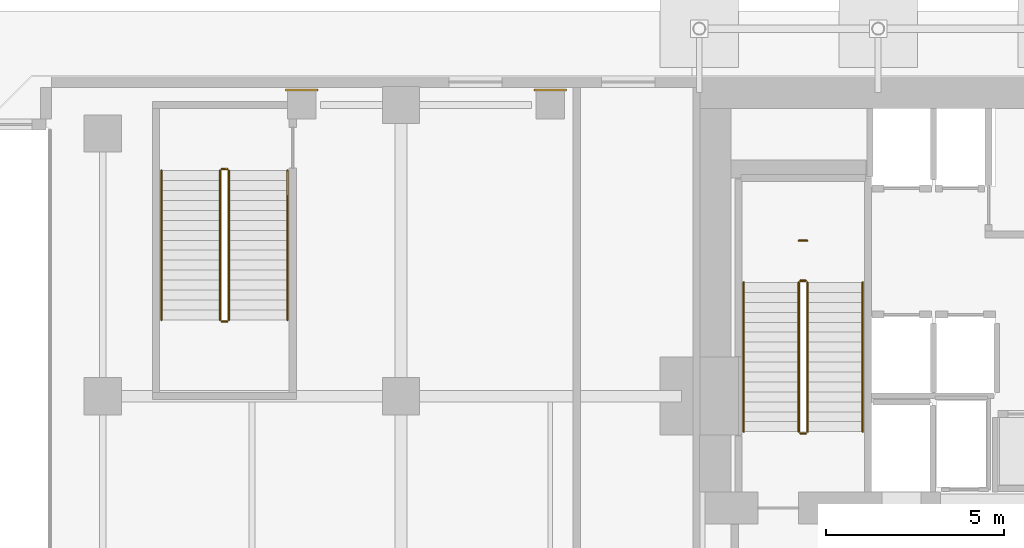
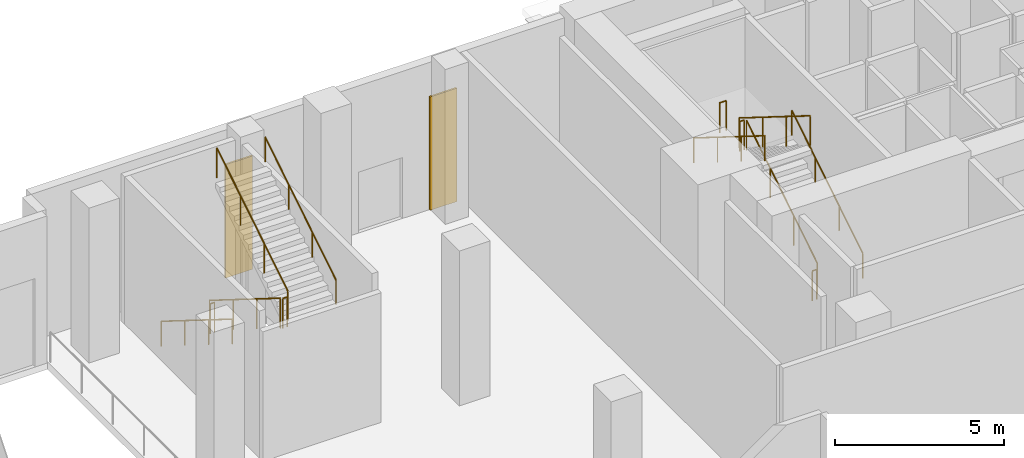
# One storey, part 33 of 35: 13 railings, 2 coverings.
"""IFC4 building model written with IfcOpenShell, lengths in metres."""

from ifc_helpers import new_model, si_unit, direction, frame, origin, origin_2d, place, context, subcontext, project, spatial, rectangle, circle, extrude, material, layer, layer_set, type_object, element, save


model = new_model("IFC4")

# Units and contexts
model_context = context("Model", 3, precision=1e-05, world=origin(), true_north=direction((0.0, 1.0)))
body_context = subcontext(model_context, "Body", "Model", "MODEL_VIEW")
ifc_project = project(units=[si_unit("LENGTHUNIT", "METRE"), si_unit("AREAUNIT", "SQUARE_METRE"), si_unit("VOLUMEUNIT", "CUBIC_METRE"), si_unit("PLANEANGLEUNIT", "RADIAN"), si_unit("MASSUNIT", "GRAM", prefix="KILO")], contexts=[model_context])

# Site, building, storey
site_placement = place(None, origin())
site = spatial("IfcSite", under=ifc_project, at=site_placement, CompositionType="ELEMENT")
building_placement = place(site_placement, origin())
building = spatial("IfcBuilding", under=site, at=building_placement, Name="Maruvema Waterfront Hotel and Observation Tower", CompositionType="ELEMENT")
storey_placement = place(building_placement, origin())
storey = spatial("IfcBuildingStorey", under=building, at=storey_placement, Name="L00", CompositionType="ELEMENT", Elevation=0.0)

# Coverings
ifc_material_1 = material(Name="Honed Pernambuco warm cream granite", Category="masonry")
ifc_layer = layer(ifc_material_1, 0.044921875, Name="Podium Column Honed Granite Cladding Panel 45 mm")
ifc_layer_set = layer_set([ifc_layer], Name="Honed Pernambuco warm cream granite")
covering_type = type_object("IfcCoveringType", Name="Podium Column Honed Granite Cladding Panel 45 mm", PredefinedType="CLADDING", material=ifc_layer_set)
for number, where, z_axis, x_axis, name in (
    (1, (14.0, 53.6201171875, 0.050048828125), (0.0, 0.0, 1.0), (1.0, 0.0, 0.0), "L00 Landward Pilaster Granite Cladding N1"),
    (2, (21.0, 53.6201171875, 0.050048828125), (0.0, 0.0, 1.0), (1.0, 0.0, 0.0), "L00 Landward Pilaster Granite Cladding N2"),
):
    element("IfcCovering", number, at=place(storey_placement, frame(where, z_axis=z_axis, x_axis=x_axis)), inside=storey, type_object=covering_type, Name=name, PredefinedType="CLADDING", context=body_context, shape_type="SweptSolid", body=[
        extrude(rectangle(XDim=0.919921875, YDim=0.06005859375, at=origin_2d()), origin(), (0.0, 0.0, 1.0), 4.10009765625),
    ])

# Railings
ifc_material_2 = material(Name="Brushed stainless steel Grade 316", Category="steel")
railing_type_1 = type_object("IfcRailingType", Name="Ramp Continuous Wall Handrail 920 mm", PredefinedType="HANDRAIL", material=ifc_material_2)
railing_1_placement = place(storey_placement, frame((29.800048828125, 44.0, 0.175048828125)))
element("IfcRailing", 3, at=railing_1_placement, inside=storey, type_object=railing_type_1, Name="L00 ST-01 stair handrail 1", PredefinedType="HANDRAIL", context=body_context, shape_type="SweptSolid", body=[
    extrude(circle(Radius=0.02392578125, at=origin_2d()), frame((0.0, 0.0, 0.89599609375), z_axis=(0.0, 0.847995534698, 0.530003370869), x_axis=(-1.0, 0.0, 0.0)), (0.0, 0.0, 1.0), 4.952880859375),
    extrude(circle(Radius=0.02099609375, at=origin_2d()), origin(), (0.0, 0.0, 1.0), 0.871826171875),
    extrude(circle(Radius=0.02099609375, at=origin_2d()), frame((0.0, 1.39990234375, 0.875)), (0.0, 0.0, 1.0), 0.871826171875),
    extrude(circle(Radius=0.02099609375, at=origin_2d()), frame((0.0, 2.800048828125, 1.75)), (0.0, 0.0, 1.0), 0.871826171875),
    extrude(circle(Radius=0.02099609375, at=origin_2d()), frame((0.0, 4.199951171875, 2.625)), (0.0, 0.0, 1.0), 0.871826171875),
])
railing_2_placement = place(storey_placement, frame((26.449951171875, 48.199951171875, 2.97509765625)))
element("IfcRailing", 4, at=railing_2_placement, inside=storey, type_object=railing_type_1, Name="L00 ST-01 stair handrail 2", PredefinedType="HANDRAIL", context=body_context, shape_type="SweptSolid", body=[
    extrude(circle(Radius=0.02392578125, at=origin_2d()), frame((0.0, 0.0, 0.89599609375), z_axis=(0.0, -0.847995534698, 0.530003370869), x_axis=(1.0, 0.0, 0.0)), (0.0, 0.0, 1.0), 4.952880859375),
    extrude(circle(Radius=0.02099609375, at=origin_2d()), origin(), (0.0, 0.0, 1.0), 0.871826171875),
    extrude(circle(Radius=0.02099609375, at=origin_2d()), frame((0.0, -1.39990234375, 0.875)), (0.0, 0.0, 1.0), 0.871826171875),
    extrude(circle(Radius=0.02099609375, at=origin_2d()), frame((0.0, -2.800048828125, 1.75)), (0.0, 0.0, 1.0), 0.871826171875),
    extrude(circle(Radius=0.02099609375, at=origin_2d()), frame((0.0, -4.199951171875, 2.625)), (0.0, 0.0, 1.0), 0.871826171875),
])
railing_3_placement = place(storey_placement, frame((10.050048828125, 51.35009765625, 0.175048828125)))
element("IfcRailing", 5, at=railing_3_placement, inside=storey, type_object=railing_type_1, Name="L00 ST-04 stair handrail 1", PredefinedType="HANDRAIL", context=body_context, shape_type="SweptSolid", body=[
    extrude(circle(Radius=0.02392578125, at=origin_2d()), frame((0.0, 0.0, 0.89599609375), z_axis=(0.0, -0.848009380541, 0.529981217134), x_axis=(1.0, 0.0, 0.0)), (0.0, 0.0, 1.0), 4.953125),
    extrude(circle(Radius=0.02099609375, at=origin_2d()), origin(), (0.0, 0.0, 1.0), 0.871826171875),
    extrude(circle(Radius=0.02099609375, at=origin_2d()), frame((0.0, -1.400146484375, 0.875)), (0.0, 0.0, 1.0), 0.871826171875),
    extrude(circle(Radius=0.02099609375, at=origin_2d()), frame((0.0, -2.800048828125, 1.75)), (0.0, 0.0, 1.0), 0.871826171875),
    extrude(circle(Radius=0.02099609375, at=origin_2d()), frame((0.0, -4.2001953125, 2.625)), (0.0, 0.0, 1.0), 0.871826171875),
])
railing_4_placement = place(storey_placement, frame((13.60009765625, 47.14990234375, 2.97509765625)))
element("IfcRailing", 6, at=railing_4_placement, inside=storey, type_object=railing_type_1, Name="L00 ST-04 stair handrail 2", PredefinedType="HANDRAIL", context=body_context, shape_type="SweptSolid", body=[
    extrude(circle(Radius=0.02392578125, at=origin_2d()), frame((0.0, 0.0, 0.89599609375), z_axis=(0.0, 0.848009380541, 0.529981217134), x_axis=(-1.0, 0.0, 0.0)), (0.0, 0.0, 1.0), 4.953125),
    extrude(circle(Radius=0.02099609375, at=origin_2d()), origin(), (0.0, 0.0, 1.0), 0.871826171875),
    extrude(circle(Radius=0.02099609375, at=origin_2d()), frame((0.0, 1.400146484375, 0.875)), (0.0, 0.0, 1.0), 0.871826171875),
    extrude(circle(Radius=0.02099609375, at=origin_2d()), frame((0.0, 2.800048828125, 1.75)), (0.0, 0.0, 1.0), 0.871826171875),
    extrude(circle(Radius=0.02099609375, at=origin_2d()), frame((0.0, 4.2001953125, 2.625)), (0.0, 0.0, 1.0), 0.871826171875),
])
ifc_material_3 = material(Name="Brushed stainless steel Grade 316", Category="steel")
railing_type_2 = type_object("IfcRailingType", Name="Ramp and Terrace Guard Balustrade 1100 mm", PredefinedType="BALUSTRADE", material=ifc_material_3)
railing_5_placement = place(storey_placement, frame((28.25, 44.0, 0.175048828125)))
element("IfcRailing", 7, at=railing_5_placement, inside=storey, type_object=railing_type_2, Name="L00 ST-01 stair guard 1", PredefinedType="BALUSTRADE", context=body_context, shape_type="SweptSolid", body=[
    extrude(circle(Radius=0.02392578125, at=origin_2d()), frame((0.0, 0.0, 1.076171875), z_axis=(0.0, 0.847995534698, 0.530003370869), x_axis=(-1.0, 0.0, 0.0)), (0.0, 0.0, 1.0), 4.952880859375),
    extrude(circle(Radius=0.02099609375, at=origin_2d()), origin(), (0.0, 0.0, 1.0), 1.052001953125),
    extrude(circle(Radius=0.02099609375, at=origin_2d()), frame((0.0, 1.39990234375, 0.875)), (0.0, 0.0, 1.0), 1.052001953125),
    extrude(circle(Radius=0.02099609375, at=origin_2d()), frame((0.0, 2.800048828125, 1.75)), (0.0, 0.0, 1.0), 1.052001953125),
    extrude(circle(Radius=0.02099609375, at=origin_2d()), frame((0.0, 4.199951171875, 2.625)), (0.0, 0.0, 1.0), 1.052001953125),
])
railing_6_placement = place(storey_placement, frame((28.199951171875, 48.25, 2.800048828125)))
element("IfcRailing", 8, at=railing_6_placement, inside=storey, type_object=railing_type_2, Name="L00 ST-01 stair guard 2", PredefinedType="BALUSTRADE", context=body_context, shape_type="SweptSolid", body=[
    extrude(circle(Radius=0.02392578125, at=origin_2d()), frame((0.0, 0.0, 1.076171875), z_axis=(-1.0, 0.0, 0.0), x_axis=(0.0, -1.0, 0.0)), (0.0, 0.0, 1.0), 0.14990234375),
    extrude(circle(Radius=0.02099609375, at=origin_2d()), origin(), (0.0, 0.0, 1.0), 1.052001953125),
    extrude(circle(Radius=0.02099609375, at=origin_2d()), frame((-0.14990234375, 0.0, 0.0)), (0.0, 0.0, 1.0), 1.052001953125),
])
railing_7_placement = place(storey_placement, frame((28.0, 48.199951171875, 2.97509765625)))
element("IfcRailing", 9, at=railing_7_placement, inside=storey, type_object=railing_type_2, Name="L00 ST-01 stair guard 3", PredefinedType="BALUSTRADE", context=body_context, shape_type="SweptSolid", body=[
    extrude(circle(Radius=0.02392578125, at=origin_2d()), frame((0.0, 0.0, 1.076171875), z_axis=(0.0, -0.847995534698, 0.530003370869), x_axis=(1.0, 0.0, 0.0)), (0.0, 0.0, 1.0), 4.952880859375),
    extrude(circle(Radius=0.02099609375, at=origin_2d()), origin(), (0.0, 0.0, 1.0), 1.052001953125),
    extrude(circle(Radius=0.02099609375, at=origin_2d()), frame((0.0, -1.39990234375, 0.875)), (0.0, 0.0, 1.0), 1.052001953125),
    extrude(circle(Radius=0.02099609375, at=origin_2d()), frame((0.0, -2.800048828125, 1.75)), (0.0, 0.0, 1.0), 1.052001953125),
    extrude(circle(Radius=0.02099609375, at=origin_2d()), frame((0.0, -4.199951171875, 2.625)), (0.0, 0.0, 1.0), 1.052001953125),
])
railing_8_placement = place(storey_placement, frame((28.199951171875, 43.949951171875, 0.0)))
element("IfcRailing", 10, at=railing_8_placement, inside=storey, type_object=railing_type_2, Name="L00 ST-01 stair guard 4", PredefinedType="BALUSTRADE", context=body_context, shape_type="SweptSolid", body=[
    extrude(circle(Radius=0.02392578125, at=origin_2d()), frame((0.0, 0.0, 1.076171875), z_axis=(-1.0, 0.0, 0.0), x_axis=(0.0, -1.0, 0.0)), (0.0, 0.0, 1.0), 0.14990234375),
    extrude(circle(Radius=0.02099609375, at=origin_2d()), origin(), (0.0, 0.0, 1.0), 1.052001953125),
    extrude(circle(Radius=0.02099609375, at=origin_2d()), frame((-0.14990234375, 0.0, 0.0)), (0.0, 0.0, 1.0), 1.052001953125),
])
railing_9_placement = place(storey_placement, frame((28.239990234375, 49.3798828125, 2.800048828125)))
element("IfcRailing", 11, at=railing_9_placement, inside=storey, type_object=railing_type_2, Name="L00 ST-01 Half-Landing Slot Guard", PredefinedType="BALUSTRADE", context=body_context, shape_type="SweptSolid", body=[
    extrude(circle(Radius=0.02392578125, at=origin_2d()), frame((0.0, 0.0, 1.076171875), z_axis=(-1.0, 0.0, 0.0), x_axis=(0.0, -1.0, 0.0)), (0.0, 0.0, 1.0), 0.22998046875),
    extrude(circle(Radius=0.02099609375, at=origin_2d()), origin(), (0.0, 0.0, 1.0), 1.052001953125),
    extrude(circle(Radius=0.02099609375, at=origin_2d()), frame((-0.22998046875, 0.0, 0.0)), (0.0, 0.0, 1.0), 1.052001953125),
])
railing_10_placement = place(storey_placement, frame((11.699951171875, 51.35009765625, 0.175048828125)))
element("IfcRailing", 12, at=railing_10_placement, inside=storey, type_object=railing_type_2, Name="L00 ST-04 stair guard 1", PredefinedType="BALUSTRADE", context=body_context, shape_type="SweptSolid", body=[
    extrude(circle(Radius=0.02392578125, at=origin_2d()), frame((0.0, 0.0, 1.076171875), z_axis=(0.0, -0.848009380541, 0.529981217134), x_axis=(1.0, 0.0, 0.0)), (0.0, 0.0, 1.0), 4.953125),
    extrude(circle(Radius=0.02099609375, at=origin_2d()), origin(), (0.0, 0.0, 1.0), 1.052001953125),
    extrude(circle(Radius=0.02099609375, at=origin_2d()), frame((0.0, -1.400146484375, 0.875)), (0.0, 0.0, 1.0), 1.052001953125),
    extrude(circle(Radius=0.02099609375, at=origin_2d()), frame((0.0, -2.800048828125, 1.75)), (0.0, 0.0, 1.0), 1.052001953125),
    extrude(circle(Radius=0.02099609375, at=origin_2d()), frame((0.0, -4.2001953125, 2.625)), (0.0, 0.0, 1.0), 1.052001953125),
])
railing_11_placement = place(storey_placement, frame((11.75, 47.10009765625, 2.800048828125)))
element("IfcRailing", 13, at=railing_11_placement, inside=storey, type_object=railing_type_2, Name="L00 ST-04 stair guard 2", PredefinedType="BALUSTRADE", context=body_context, shape_type="SweptSolid", body=[
    extrude(circle(Radius=0.02392578125, at=origin_2d()), frame((0.0, 0.0, 1.076171875), z_axis=(1.0, 0.0, 0.0), x_axis=(0.0, 1.0, 0.0)), (0.0, 0.0, 1.0), 0.14990234375),
    extrude(circle(Radius=0.02099609375, at=origin_2d()), origin(), (0.0, 0.0, 1.0), 1.052001953125),
    extrude(circle(Radius=0.02099609375, at=origin_2d()), frame((0.14990234375, 0.0, 0.0)), (0.0, 0.0, 1.0), 1.052001953125),
])
railing_12_placement = place(storey_placement, frame((11.949951171875, 47.14990234375, 2.97509765625)))
element("IfcRailing", 14, at=railing_12_placement, inside=storey, type_object=railing_type_2, Name="L00 ST-04 stair guard 3", PredefinedType="BALUSTRADE", context=body_context, shape_type="SweptSolid", body=[
    extrude(circle(Radius=0.02392578125, at=origin_2d()), frame((0.0, 0.0, 1.076171875), z_axis=(0.0, 0.848009380541, 0.529981217134), x_axis=(-1.0, 0.0, 0.0)), (0.0, 0.0, 1.0), 4.953125),
    extrude(circle(Radius=0.02099609375, at=origin_2d()), origin(), (0.0, 0.0, 1.0), 1.052001953125),
    extrude(circle(Radius=0.02099609375, at=origin_2d()), frame((0.0, 1.400146484375, 0.875)), (0.0, 0.0, 1.0), 1.052001953125),
    extrude(circle(Radius=0.02099609375, at=origin_2d()), frame((0.0, 2.800048828125, 1.75)), (0.0, 0.0, 1.0), 1.052001953125),
    extrude(circle(Radius=0.02099609375, at=origin_2d()), frame((0.0, 4.2001953125, 2.625)), (0.0, 0.0, 1.0), 1.052001953125),
])
railing_13_placement = place(storey_placement, frame((11.75, 51.39990234375, 0.0)))
element("IfcRailing", 15, at=railing_13_placement, inside=storey, type_object=railing_type_2, Name="L00 ST-04 stair guard 4", PredefinedType="BALUSTRADE", context=body_context, shape_type="SweptSolid", body=[
    extrude(circle(Radius=0.02392578125, at=origin_2d()), frame((0.0, 0.0, 1.076171875), z_axis=(1.0, 0.0, 0.0), x_axis=(0.0, 1.0, 0.0)), (0.0, 0.0, 1.0), 0.14990234375),
    extrude(circle(Radius=0.02099609375, at=origin_2d()), origin(), (0.0, 0.0, 1.0), 1.052001953125),
    extrude(circle(Radius=0.02099609375, at=origin_2d()), frame((0.14990234375, 0.0, 0.0)), (0.0, 0.0, 1.0), 1.052001953125),
])

save(model, "model.ifc")
